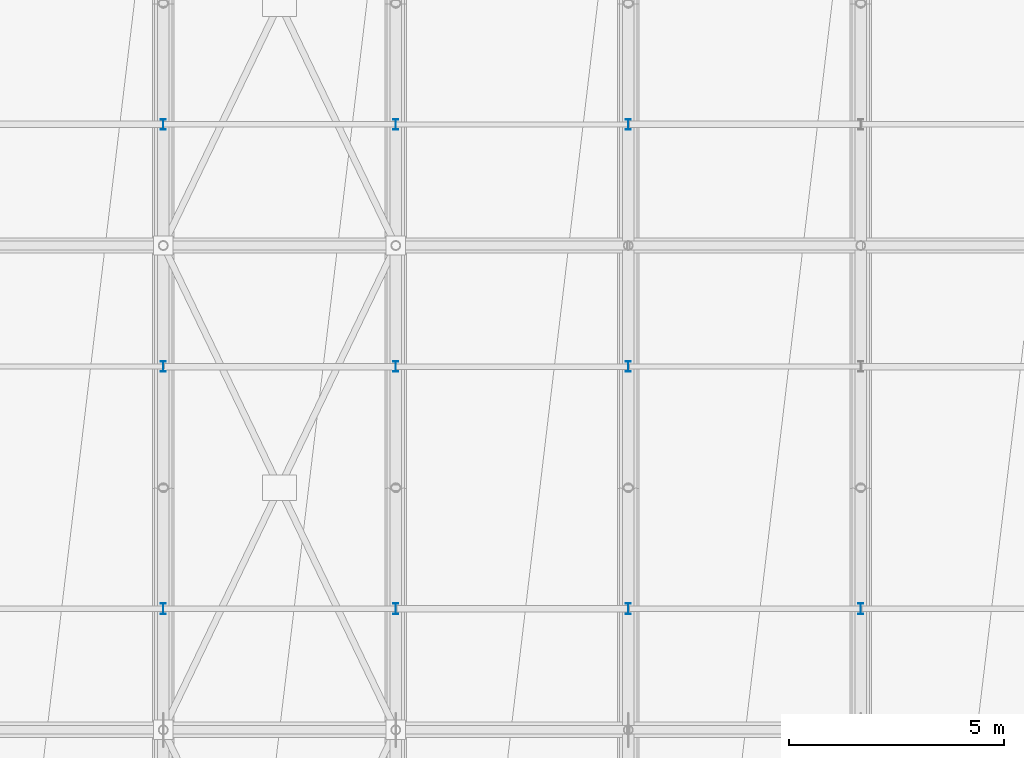
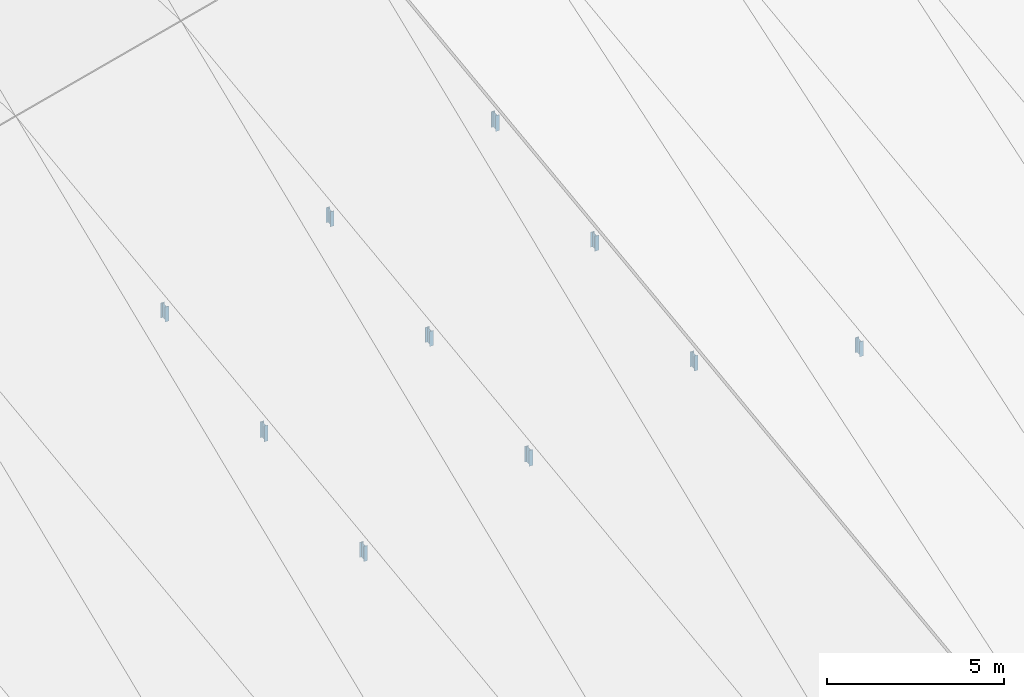
# One storey, part 70 of 109: 10 members.
"""IFC4 building model written with IfcOpenShell, lengths in metres."""

from ifc_helpers import new_model, si_unit, direction, frame, origin, origin_2d, place, context, subcontext, project, spatial, i_section, extrude, material, material_profile, profile_set, type_object, element, save


model = new_model("IFC4")

# Units and contexts
model_context = context("Model", 3, precision=1e-05, world=origin(), true_north=direction((0.0, 1.0)))
body_context = subcontext(model_context, "Body", "Model", "MODEL_VIEW")
ifc_project = project(units=[si_unit("LENGTHUNIT", "METRE"), si_unit("AREAUNIT", "SQUARE_METRE"), si_unit("VOLUMEUNIT", "CUBIC_METRE"), si_unit("PLANEANGLEUNIT", "RADIAN"), si_unit("MASSUNIT", "GRAM", prefix="KILO")], contexts=[model_context])

# Site, building, storey
site_placement = place(None, origin())
site = spatial("IfcSite", under=ifc_project, at=site_placement, CompositionType="ELEMENT")
building_placement = place(site_placement, origin())
building = spatial("IfcBuilding", under=site, at=building_placement, Name="Suirenkawa Promenade Aquatics Centre", CompositionType="ELEMENT")
storey_placement = place(building_placement, frame((0.0, 0.0, 22.800048828125)))
storey = spatial("IfcBuildingStorey", under=building, at=storey_placement, Name="ROOF", CompositionType="ELEMENT", Elevation=22.800048828125)

# Members
ifc_material = material(Name="Steel IS 2062 E350 (Grade 350)", Category="steel")
ifc_material_profile = material_profile(ifc_material, i_section(OverallWidth=0.125, OverallDepth=0.25, WebThickness=0.007080078125, FlangeThickness=0.012939453125, at=origin_2d()), Name="ISMB 250", Category="steel")
ifc_profile_set = profile_set([ifc_material_profile], Name="Steel IS 2062 E350 (Grade 350)")
member_type = type_object("IfcMemberType", Name="MT-WEB-CHS168", PredefinedType="BRACE", material=ifc_profile_set)
member_1_placement = place(storey_placement, frame((100.800048828125, 75.712890625, -9.156982421875), z_axis=(0.0, 0.0, 1.0), x_axis=(1.0, 0.0, 0.0)))
element("IfcMember", 1, at=member_1_placement, inside=storey, type_object=member_type, Name="ROOF TRUSS Purlin cleat post TD-03 MB-2022", PredefinedType="BRACE", context=body_context, shape_type="SweptSolid", body=[
    extrude(i_section(OverallWidth=0.125, OverallDepth=0.25, WebThickness=0.007080078125, FlangeThickness=0.012939453125, at=origin_2d()), origin(), (0.0, 0.0, 1.0), 0.52099609375),
])
member_2_placement = place(storey_placement, frame((100.800048828125, 81.337890625, -8.43212890625), z_axis=(0.0, 0.0, 1.0), x_axis=(1.0, 0.0, 0.0)))
element("IfcMember", 2, at=member_2_placement, inside=storey, type_object=member_type, Name="ROOF TRUSS Purlin cleat post TD-03 MB-2024", PredefinedType="BRACE", context=body_context, shape_type="SweptSolid", body=[
    extrude(i_section(OverallWidth=0.125, OverallDepth=0.25, WebThickness=0.007080078125, FlangeThickness=0.012939453125, at=origin_2d()), origin(), (0.0, 0.0, 1.0), 0.546142578125),
])
member_3_placement = place(storey_placement, frame((100.800048828125, 86.962890625, -7.70703125), z_axis=(0.0, 0.0, 1.0), x_axis=(1.0, 0.0, 0.0)))
element("IfcMember", 3, at=member_3_placement, inside=storey, type_object=member_type, Name="ROOF TRUSS Purlin cleat post TD-03 MB-2026", PredefinedType="BRACE", context=body_context, shape_type="SweptSolid", body=[
    extrude(i_section(OverallWidth=0.125, OverallDepth=0.25, WebThickness=0.007080078125, FlangeThickness=0.012939453125, at=origin_2d()), origin(), (0.0, 0.0, 1.0), 0.51904296875),
])
member_4_placement = place(storey_placement, frame((106.199951171875, 75.712890625, -7.757080078125), z_axis=(0.0, 0.0, 1.0), x_axis=(1.0, 0.0, 0.0)))
element("IfcMember", 4, at=member_4_placement, inside=storey, type_object=member_type, Name="ROOF TRUSS Purlin cleat post TD-03 MB-2058", PredefinedType="BRACE", context=body_context, shape_type="SweptSolid", body=[
    extrude(i_section(OverallWidth=0.125, OverallDepth=0.25, WebThickness=0.007080078125, FlangeThickness=0.012939453125, at=origin_2d()), origin(), (0.0, 0.0, 1.0), 0.546142578125),
])
member_5_placement = place(storey_placement, frame((106.199951171875, 81.337890625, -7.031982421875), z_axis=(0.0, 0.0, 1.0), x_axis=(1.0, 0.0, 0.0)))
element("IfcMember", 5, at=member_5_placement, inside=storey, type_object=member_type, Name="ROOF TRUSS Purlin cleat post TD-03 MB-2060", PredefinedType="BRACE", context=body_context, shape_type="SweptSolid", body=[
    extrude(i_section(OverallWidth=0.125, OverallDepth=0.25, WebThickness=0.007080078125, FlangeThickness=0.012939453125, at=origin_2d()), origin(), (0.0, 0.0, 1.0), 0.51904296875),
])
member_6_placement = place(storey_placement, frame((106.199951171875, 86.962890625, -6.30712890625), z_axis=(0.0, 0.0, 1.0), x_axis=(1.0, 0.0, 0.0)))
element("IfcMember", 6, at=member_6_placement, inside=storey, type_object=member_type, Name="ROOF TRUSS Purlin cleat post TD-03 MB-2062", PredefinedType="BRACE", context=body_context, shape_type="SweptSolid", body=[
    extrude(i_section(OverallWidth=0.125, OverallDepth=0.25, WebThickness=0.007080078125, FlangeThickness=0.012939453125, at=origin_2d()), origin(), (0.0, 0.0, 1.0), 0.52001953125),
])
member_7_placement = place(storey_placement, frame((111.60009765625, 75.712890625, -6.35693359375), z_axis=(0.0, 0.0, 1.0), x_axis=(1.0, 0.0, 0.0)))
element("IfcMember", 7, at=member_7_placement, inside=storey, type_object=member_type, Name="ROOF TRUSS Purlin cleat post TD-03 MB-2094", PredefinedType="BRACE", context=body_context, shape_type="SweptSolid", body=[
    extrude(i_section(OverallWidth=0.125, OverallDepth=0.25, WebThickness=0.007080078125, FlangeThickness=0.012939453125, at=origin_2d()), origin(), (0.0, 0.0, 1.0), 0.518798828125),
])
member_8_placement = place(storey_placement, frame((111.60009765625, 81.337890625, -5.632080078125), z_axis=(0.0, 0.0, 1.0), x_axis=(1.0, 0.0, 0.0)))
element("IfcMember", 8, at=member_8_placement, inside=storey, type_object=member_type, Name="ROOF TRUSS Purlin cleat post TD-03 MB-2096", PredefinedType="BRACE", context=body_context, shape_type="SweptSolid", body=[
    extrude(i_section(OverallWidth=0.125, OverallDepth=0.25, WebThickness=0.007080078125, FlangeThickness=0.012939453125, at=origin_2d()), origin(), (0.0, 0.0, 1.0), 0.52001953125),
])
member_9_placement = place(storey_placement, frame((111.60009765625, 86.962890625, -4.906982421875), z_axis=(0.0, 0.0, 1.0), x_axis=(1.0, 0.0, 0.0)))
element("IfcMember", 9, at=member_9_placement, inside=storey, type_object=member_type, Name="ROOF TRUSS Purlin cleat post TD-03 MB-2098", PredefinedType="BRACE", context=body_context, shape_type="SweptSolid", body=[
    extrude(i_section(OverallWidth=0.125, OverallDepth=0.25, WebThickness=0.007080078125, FlangeThickness=0.012939453125, at=origin_2d()), origin(), (0.0, 0.0, 1.0), 0.5458984375),
])
member_10_placement = place(storey_placement, frame((117.0, 75.712890625, -7.757080078125), z_axis=(0.0, 0.0, 1.0), x_axis=(1.0, 0.0, 0.0)))
element("IfcMember", 10, at=member_10_placement, inside=storey, type_object=member_type, Name="ROOF TRUSS Purlin cleat post TD-03 MB-2130", PredefinedType="BRACE", context=body_context, shape_type="SweptSolid", body=[
    extrude(i_section(OverallWidth=0.125, OverallDepth=0.25, WebThickness=0.007080078125, FlangeThickness=0.012939453125, at=origin_2d()), origin(), (0.0, 0.0, 1.0), 0.52001953125),
])

save(model, "model.ifc")
